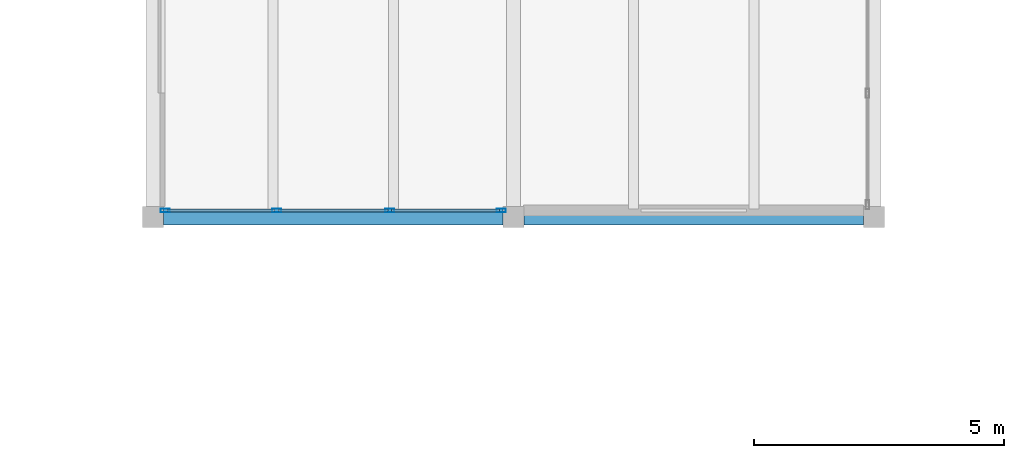
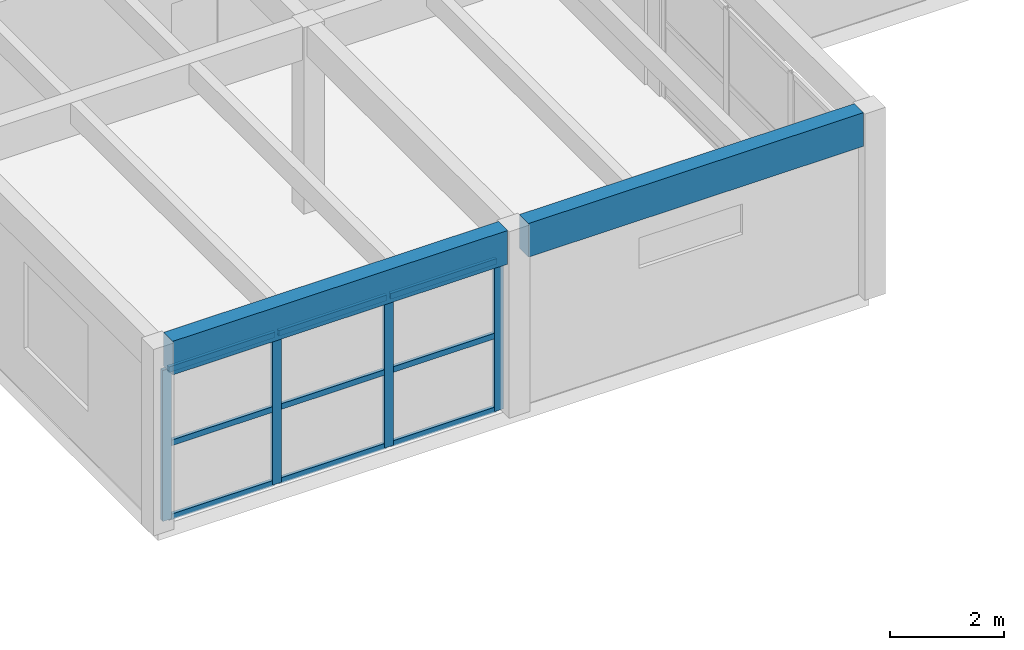
# One storey, part 18 of 68: 13 members, 2 beams, 1 element without a shape of its own.
"""IFC4 building model written with IfcOpenShell, lengths in metres."""

from ifc_helpers import new_model, si_unit, direction, frame, origin, origin_2d, place, context, subcontext, project, spatial, rectangle, hollow_rectangle, extrude, material, material_profile, profile_set, type_object, element, aggregate, save


model = new_model("IFC4")

# Units and contexts
model_context = context("Model", 3, precision=1e-05, world=origin(), true_north=direction((0.0, 1.0)))
body_context = subcontext(model_context, "Body", "Model", "MODEL_VIEW")
ifc_project = project(units=[si_unit("LENGTHUNIT", "METRE"), si_unit("AREAUNIT", "SQUARE_METRE"), si_unit("VOLUMEUNIT", "CUBIC_METRE"), si_unit("PLANEANGLEUNIT", "RADIAN"), si_unit("MASSUNIT", "GRAM", prefix="KILO")], contexts=[model_context])

# Site, building, storey
site_placement = place(None, origin())
site = spatial("IfcSite", under=ifc_project, at=site_placement, CompositionType="ELEMENT")
building_placement = place(site_placement, origin())
building = spatial("IfcBuilding", under=site, at=building_placement, Name="Bramvelor Terrace Health Centre", CompositionType="ELEMENT")
storey_placement = place(building_placement, frame((0.0, 0.0, 9.300048828125)))
storey = spatial("IfcBuildingStorey", under=building, at=storey_placement, Name="L03", CompositionType="ELEMENT", Elevation=9.300048828125)

# Beams
ifc_material_1 = material(Name="Glulam GL28h", Category="wood")
ifc_material_profile_1 = material_profile(ifc_material_1, rectangle(XDim=0.320068359375, YDim=0.719970703125, at=origin_2d()), Name="GL 320x720")
ifc_profile_set_1 = profile_set([ifc_material_profile_1], Name="Glulam GL28h")
beam_type = type_object("IfcBeamType", Name="BM-GL-G720", PredefinedType="BEAM", material=ifc_profile_set_1)
for number, where, z_axis, x_axis, name in (
    (1, (101.010009765625, 43.199951171875, 3.6298828125), (1.0, 0.0, 0.0), (0.0, 1.0, 0.0), "L03 Floor Girder"),
    (2, (108.2099609375, 43.199951171875, 3.6298828125), (1.0, 0.0, 0.0), (0.0, 1.0, 0.0), "L03 Floor Girder"),
):
    element("IfcBeam", number, at=place(storey_placement, frame(where, z_axis=z_axis, x_axis=x_axis)), inside=storey, type_object=beam_type, Name=name, PredefinedType="BEAM", context=body_context, shape_type="SweptSolid", body=[
        extrude(rectangle(XDim=0.320068359375, YDim=0.719970703125, at=origin_2d()), origin(), (0.0, 0.0, 1.0), 6.780029296875),
    ])

# Curtain wall, members
ifc_material_2 = material(Name="Anodized aluminium and double low-E glass", Category="aluminium")
curtain_wall_type = type_object("IfcCurtainWallType", Name="CW-SYS-27", PredefinedType="NOTDEFINED", material=ifc_material_2)
curtain_wall_placement = place(storey_placement, origin())
curtain_wall = element("IfcCurtainWall", 3, at=curtain_wall_placement, inside=storey, type_object=curtain_wall_type, Name="L03 Unitized Curtain Wall 173", PredefinedType="NOTDEFINED")
ifc_material_3 = material(Name="Anodized aluminium 6063-T6", Category="aluminium")
ifc_material_profile_2 = material_profile(ifc_material_3, hollow_rectangle(XDim=0.074951171875, YDim=0.179931640625, WallThickness=0.00341796875, at=origin_2d()), Name="ALU-MUL 75x180x3.5")
ifc_profile_set_2 = profile_set([ifc_material_profile_2], Name="Anodized aluminium 6063-T6")
member_type_1 = type_object("IfcMemberType", Name="CW-MUL-65x180", PredefinedType="MULLION", material=ifc_profile_set_2)
member_1_placement = place(storey_placement, frame((107.757568359375, 43.330078125, 0.0), z_axis=(0.0, 0.0, 1.0), x_axis=(0.0, -1.0, 0.0)))
member_1 = element("IfcMember", 4, at=member_1_placement, type_object=member_type_1, Name="CW-27 mullion 1", PredefinedType="MULLION", context=body_context, shape_type="SweptSolid", body=[
    extrude(hollow_rectangle(XDim=0.074951171875, YDim=0.179931640625, WallThickness=0.00341796875, at=origin_2d()), origin(), (0.0, 0.0, 1.0), 3.22998046875),
])
member_2_placement = place(storey_placement, frame((105.53173828125, 43.330078125, 0.0), z_axis=(0.0, 0.0, 1.0), x_axis=(0.0, -1.0, 0.0)))
member_2 = element("IfcMember", 5, at=member_2_placement, type_object=member_type_1, Name="CW-27 mullion 2", PredefinedType="MULLION", context=body_context, shape_type="SweptSolid", body=[
    extrude(hollow_rectangle(XDim=0.074951171875, YDim=0.179931640625, WallThickness=0.00341796875, at=origin_2d()), origin(), (0.0, 0.0, 1.0), 3.22998046875),
])
member_3_placement = place(storey_placement, frame((103.268310546875, 43.330078125, 0.0), z_axis=(0.0, 0.0, 1.0), x_axis=(0.0, -1.0, 0.0)))
member_3 = element("IfcMember", 6, at=member_3_placement, type_object=member_type_1, Name="CW-27 mullion 3", PredefinedType="MULLION", context=body_context, shape_type="SweptSolid", body=[
    extrude(hollow_rectangle(XDim=0.074951171875, YDim=0.179931640625, WallThickness=0.00341796875, at=origin_2d()), origin(), (0.0, 0.0, 1.0), 3.22998046875),
])
member_4_placement = place(storey_placement, frame((101.04248046875, 43.330078125, 0.0), z_axis=(0.0, 0.0, 1.0), x_axis=(0.0, -1.0, 0.0)))
member_4 = element("IfcMember", 7, at=member_4_placement, type_object=member_type_1, Name="CW-27 mullion 4", PredefinedType="MULLION", context=body_context, shape_type="SweptSolid", body=[
    extrude(hollow_rectangle(XDim=0.074951171875, YDim=0.179931640625, WallThickness=0.00341796875, at=origin_2d()), origin(), (0.0, 0.0, 1.0), 3.22998046875),
])
ifc_material_4 = material(Name="Anodized aluminium 6063-T6", Category="aluminium")
ifc_material_profile_3 = material_profile(ifc_material_4, hollow_rectangle(XDim=0.06494140625, YDim=0.1201171875, WallThickness=0.0029296875, at=origin_2d()), Name="ALU-TRN 65x120x3.0")
ifc_profile_set_3 = profile_set([ifc_material_profile_3], Name="Anodized aluminium 6063-T6")
member_type_2 = type_object("IfcMemberType", Name="CW-TRN-65x150", PredefinedType="USERDEFINED", material=ifc_profile_set_3)
member_5_placement = place(storey_placement, frame((107.719970703125, 43.330078125, 0.032470703125), z_axis=(-1.0, 0.0, 0.0), x_axis=(0.0, -1.0, 0.0)))
member_5 = element("IfcMember", 8, at=member_5_placement, type_object=member_type_2, Name="CW-27 transom 1.1", ObjectType="TRANSOM", PredefinedType="USERDEFINED", context=body_context, shape_type="SweptSolid", body=[
    extrude(hollow_rectangle(XDim=0.06494140625, YDim=0.1201171875, WallThickness=0.0029296875, at=origin_2d()), origin(), (0.0, 0.0, 1.0), 2.15087890625),
])
member_6_placement = place(storey_placement, frame((107.719970703125, 43.330078125, 1.614990234375), z_axis=(-1.0, 0.0, 0.0), x_axis=(0.0, -1.0, 0.0)))
member_6 = element("IfcMember", 9, at=member_6_placement, type_object=member_type_2, Name="CW-27 transom 1.2", ObjectType="TRANSOM", PredefinedType="USERDEFINED", context=body_context, shape_type="SweptSolid", body=[
    extrude(hollow_rectangle(XDim=0.06494140625, YDim=0.1201171875, WallThickness=0.0029296875, at=origin_2d()), origin(), (0.0, 0.0, 1.0), 2.15087890625),
])
member_7_placement = place(storey_placement, frame((107.719970703125, 43.330078125, 3.197509765625), z_axis=(-1.0, 0.0, 0.0), x_axis=(0.0, -1.0, 0.0)))
member_7 = element("IfcMember", 10, at=member_7_placement, type_object=member_type_2, Name="CW-27 transom 1.3", ObjectType="TRANSOM", PredefinedType="USERDEFINED", context=body_context, shape_type="SweptSolid", body=[
    extrude(hollow_rectangle(XDim=0.06494140625, YDim=0.1201171875, WallThickness=0.0029296875, at=origin_2d()), origin(), (0.0, 0.0, 1.0), 2.15087890625),
])
member_8_placement = place(storey_placement, frame((105.494140625, 43.330078125, 0.032470703125), z_axis=(-1.0, 0.0, 0.0), x_axis=(0.0, -1.0, 0.0)))
member_8 = element("IfcMember", 11, at=member_8_placement, type_object=member_type_2, Name="CW-27 transom 2.1", ObjectType="TRANSOM", PredefinedType="USERDEFINED", context=body_context, shape_type="SweptSolid", body=[
    extrude(hollow_rectangle(XDim=0.06494140625, YDim=0.1201171875, WallThickness=0.0029296875, at=origin_2d()), origin(), (0.0, 0.0, 1.0), 2.188232421875),
])
member_9_placement = place(storey_placement, frame((105.494140625, 43.330078125, 1.614990234375), z_axis=(-1.0, 0.0, 0.0), x_axis=(0.0, -1.0, 0.0)))
member_9 = element("IfcMember", 12, at=member_9_placement, type_object=member_type_2, Name="CW-27 transom 2.2", ObjectType="TRANSOM", PredefinedType="USERDEFINED", context=body_context, shape_type="SweptSolid", body=[
    extrude(hollow_rectangle(XDim=0.06494140625, YDim=0.1201171875, WallThickness=0.0029296875, at=origin_2d()), origin(), (0.0, 0.0, 1.0), 2.188232421875),
])
member_10_placement = place(storey_placement, frame((105.494140625, 43.330078125, 3.197509765625), z_axis=(-1.0, 0.0, 0.0), x_axis=(0.0, -1.0, 0.0)))
member_10 = element("IfcMember", 13, at=member_10_placement, type_object=member_type_2, Name="CW-27 transom 2.3", ObjectType="TRANSOM", PredefinedType="USERDEFINED", context=body_context, shape_type="SweptSolid", body=[
    extrude(hollow_rectangle(XDim=0.06494140625, YDim=0.1201171875, WallThickness=0.0029296875, at=origin_2d()), origin(), (0.0, 0.0, 1.0), 2.188232421875),
])
member_11_placement = place(storey_placement, frame((103.230712890625, 43.330078125, 0.032470703125), z_axis=(-1.0, 0.0, 0.0), x_axis=(0.0, -1.0, 0.0)))
member_11 = element("IfcMember", 14, at=member_11_placement, type_object=member_type_2, Name="CW-27 transom 3.1", ObjectType="TRANSOM", PredefinedType="USERDEFINED", context=body_context, shape_type="SweptSolid", body=[
    extrude(hollow_rectangle(XDim=0.06494140625, YDim=0.1201171875, WallThickness=0.0029296875, at=origin_2d()), origin(), (0.0, 0.0, 1.0), 2.150634765625),
])
member_12_placement = place(storey_placement, frame((103.230712890625, 43.330078125, 1.614990234375), z_axis=(-1.0, 0.0, 0.0), x_axis=(0.0, -1.0, 0.0)))
member_12 = element("IfcMember", 15, at=member_12_placement, type_object=member_type_2, Name="CW-27 transom 3.2", ObjectType="TRANSOM", PredefinedType="USERDEFINED", context=body_context, shape_type="SweptSolid", body=[
    extrude(hollow_rectangle(XDim=0.06494140625, YDim=0.1201171875, WallThickness=0.0029296875, at=origin_2d()), origin(), (0.0, 0.0, 1.0), 2.150634765625),
])
member_13_placement = place(storey_placement, frame((103.230712890625, 43.330078125, 3.197509765625), z_axis=(-1.0, 0.0, 0.0), x_axis=(0.0, -1.0, 0.0)))
member_13 = element("IfcMember", 16, at=member_13_placement, type_object=member_type_2, Name="CW-27 transom 3.3", ObjectType="TRANSOM", PredefinedType="USERDEFINED", context=body_context, shape_type="SweptSolid", body=[
    extrude(hollow_rectangle(XDim=0.06494140625, YDim=0.1201171875, WallThickness=0.0029296875, at=origin_2d()), origin(), (0.0, 0.0, 1.0), 2.150634765625),
])
aggregate(curtain_wall, [member_1, member_2, member_3, member_4, member_5, member_6, member_7, member_8, member_9, member_10, member_11, member_12, member_13])

save(model, "model.ifc")
